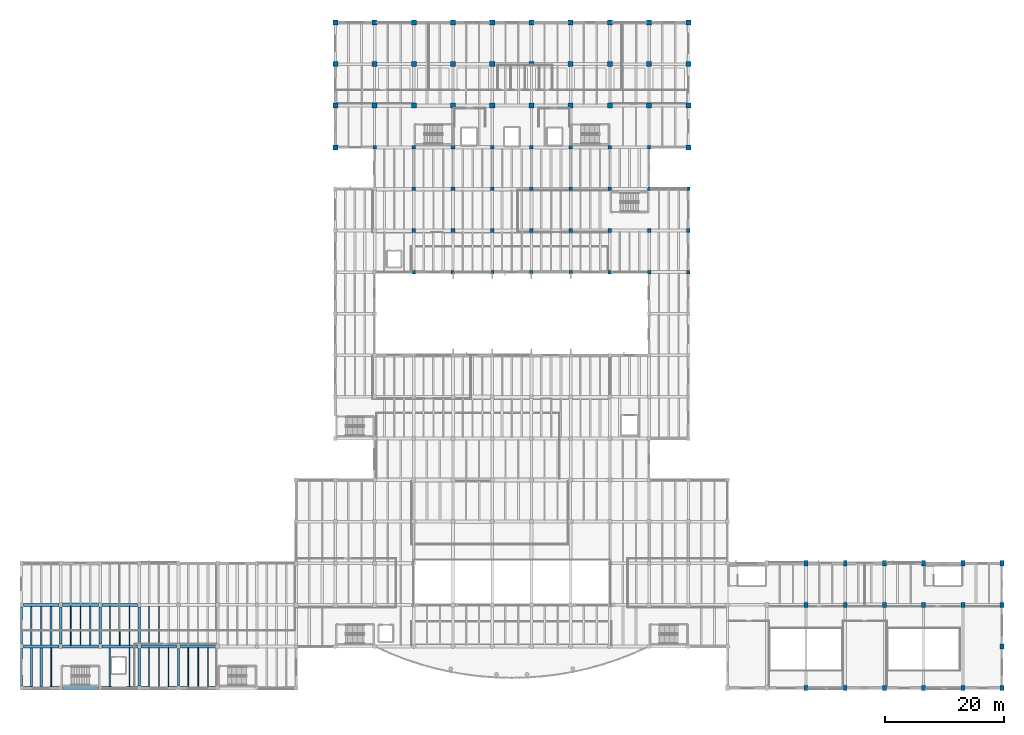
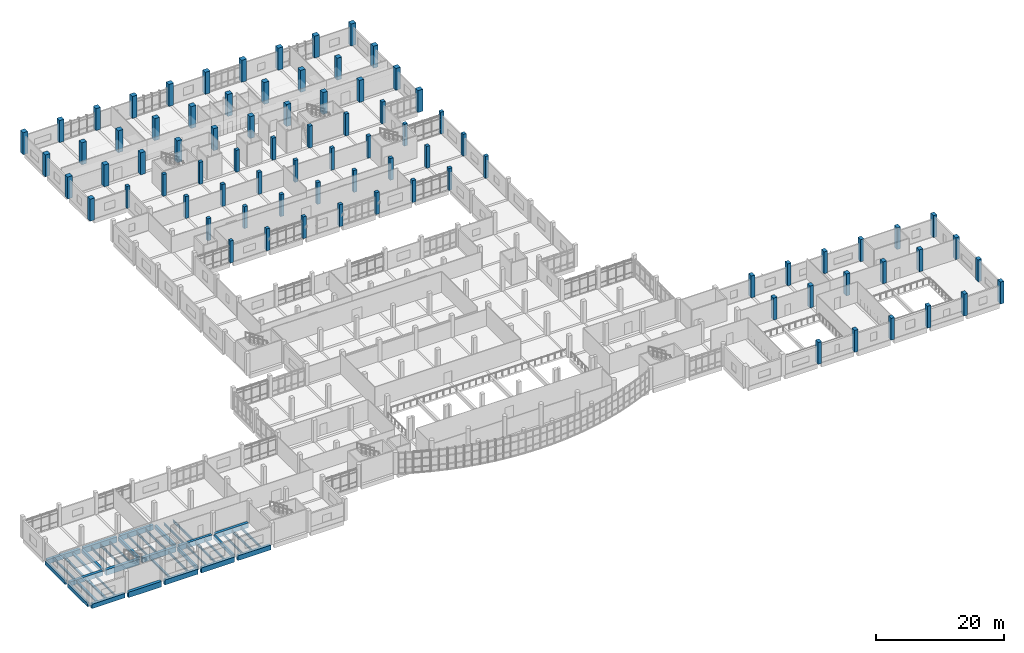
# One storey, part 2 of 68: 83 columns, 42 beams.
"""IFC4 building model written with IfcOpenShell, lengths in metres."""

from ifc_helpers import new_model, si_unit, direction, frame, origin, origin_2d, place, context, subcontext, project, spatial, rectangle, i_section, extrude, material, material_profile, profile_set, type_object, element, save


model = new_model("IFC4")

# Units and contexts
model_context = context("Model", 3, precision=1e-05, world=origin(), true_north=direction((0.0, 1.0)))
body_context = subcontext(model_context, "Body", "Model", "MODEL_VIEW")
ifc_project = project(units=[si_unit("LENGTHUNIT", "METRE"), si_unit("AREAUNIT", "SQUARE_METRE"), si_unit("VOLUMEUNIT", "CUBIC_METRE"), si_unit("PLANEANGLEUNIT", "RADIAN"), si_unit("MASSUNIT", "GRAM", prefix="KILO")], contexts=[model_context])

# Site, building, storey
site_placement = place(None, origin())
site = spatial("IfcSite", under=ifc_project, at=site_placement, CompositionType="ELEMENT")
building_placement = place(site_placement, origin())
building = spatial("IfcBuilding", under=site, at=building_placement, Name="Ciguamira Faculty of Natural Sciences", CompositionType="ELEMENT")
storey_placement = place(building_placement, frame((0.0, 0.0, 4.199951171875)))
storey = spatial("IfcBuildingStorey", under=building, at=storey_placement, Name="L01", CompositionType="ELEMENT", Elevation=4.199951171875)

# Columns
ifc_material_1 = material(Name="Concrete C45/55", Category="concrete")
ifc_material_profile_1 = material_profile(ifc_material_1, rectangle(XDim=0.85009765625, YDim=0.85009765625, at=origin_2d()), Name="RC-COL-850X850")
ifc_profile_set_1 = profile_set([ifc_material_profile_1], Name="Concrete C45/55")
column_type_1 = type_object("IfcColumnType", Name="Col_C-02_RC-COL-850X850", PredefinedType="COLUMN", material=ifc_profile_set_1)
for number, where, z_axis, x_axis, name in (
    (1, (57.300048828125, 94.0, 0.0), (0.0, 0.0, 1.0), (1.0, 0.0, 0.0), "L01 column 9/P"),
    (2, (57.300048828125, 101.0, 0.0), (0.0, 0.0, 1.0), (1.0, 0.0, 0.0), "L01 column 9/Q"),
    (3, (57.300048828125, 108.0, 0.0), (0.0, 0.0, 1.0), (1.0, 0.0, 0.0), "L01 column 9/R"),
    (4, (57.300048828125, 115.0, 0.0), (0.0, 0.0, 1.0), (1.0, 0.0, 0.0), "L01 column 9/S"),
    (5, (63.89990234375, 101.0, 0.0), (0.0, 0.0, 1.0), (1.0, 0.0, 0.0), "L01 column 10/Q"),
    (6, (63.89990234375, 108.0, 0.0), (0.0, 0.0, 1.0), (1.0, 0.0, 0.0), "L01 column 10/R"),
    (7, (63.89990234375, 115.0, 0.0), (0.0, 0.0, 1.0), (1.0, 0.0, 0.0), "L01 column 10/S"),
    (8, (70.5, 101.0, 0.0), (0.0, 0.0, 1.0), (1.0, 0.0, 0.0), "L01 column 11/Q"),
    (9, (70.5, 108.0, 0.0), (0.0, 0.0, 1.0), (1.0, 0.0, 0.0), "L01 column 11/R"),
    (10, (70.5, 115.0, 0.0), (0.0, 0.0, 1.0), (1.0, 0.0, 0.0), "L01 column 11/S"),
    (11, (77.10009765625, 101.0, 0.0), (0.0, 0.0, 1.0), (1.0, 0.0, 0.0), "L01 column 12/Q"),
    (12, (77.10009765625, 108.0, 0.0), (0.0, 0.0, 1.0), (1.0, 0.0, 0.0), "L01 column 12/R"),
    (13, (77.10009765625, 115.0, 0.0), (0.0, 0.0, 1.0), (1.0, 0.0, 0.0), "L01 column 12/S"),
    (14, (83.699951171875, 101.0, 0.0), (0.0, 0.0, 1.0), (1.0, 0.0, 0.0), "L01 column 13/Q"),
    (15, (83.699951171875, 108.0, 0.0), (0.0, 0.0, 1.0), (1.0, 0.0, 0.0), "L01 column 13/R"),
    (16, (83.699951171875, 115.0, 0.0), (0.0, 0.0, 1.0), (1.0, 0.0, 0.0), "L01 column 13/S"),
    (17, (90.300048828125, 101.0, 0.0), (0.0, 0.0, 1.0), (1.0, 0.0, 0.0), "L01 column 14/Q"),
    (18, (90.300048828125, 108.0, 0.0), (0.0, 0.0, 1.0), (1.0, 0.0, 0.0), "L01 column 14/R"),
    (19, (90.300048828125, 115.0, 0.0), (0.0, 0.0, 1.0), (1.0, 0.0, 0.0), "L01 column 14/S"),
    (20, (96.89990234375, 101.0, 0.0), (0.0, 0.0, 1.0), (1.0, 0.0, 0.0), "L01 column 15/Q"),
    (21, (96.89990234375, 108.0, 0.0), (0.0, 0.0, 1.0), (1.0, 0.0, 0.0), "L01 column 15/R"),
    (22, (96.89990234375, 115.0, 0.0), (0.0, 0.0, 1.0), (1.0, 0.0, 0.0), "L01 column 15/S"),
    (23, (103.5, 101.0, 0.0), (0.0, 0.0, 1.0), (1.0, 0.0, 0.0), "L01 column 16/Q"),
    (24, (103.5, 108.0, 0.0), (0.0, 0.0, 1.0), (1.0, 0.0, 0.0), "L01 column 16/R"),
    (25, (103.5, 115.0, 0.0), (0.0, 0.0, 1.0), (1.0, 0.0, 0.0), "L01 column 16/S"),
    (26, (110.10009765625, 101.0, 0.0), (0.0, 0.0, 1.0), (1.0, 0.0, 0.0), "L01 column 17/Q"),
    (27, (110.10009765625, 108.0, 0.0), (0.0, 0.0, 1.0), (1.0, 0.0, 0.0), "L01 column 17/R"),
    (28, (110.10009765625, 115.0, 0.0), (0.0, 0.0, 1.0), (1.0, 0.0, 0.0), "L01 column 17/S"),
    (29, (116.699951171875, 94.0, 0.0), (0.0, 0.0, 1.0), (1.0, 0.0, 0.0), "L01 column 18/P"),
    (30, (116.699951171875, 101.0, 0.0), (0.0, 0.0, 1.0), (1.0, 0.0, 0.0), "L01 column 18/Q"),
    (31, (116.699951171875, 108.0, 0.0), (0.0, 0.0, 1.0), (1.0, 0.0, 0.0), "L01 column 18/R"),
    (32, (116.699951171875, 115.0, 0.0), (0.0, 0.0, 1.0), (1.0, 0.0, 0.0), "L01 column 18/S"),
):
    element("IfcColumn", number, at=place(storey_placement, frame(where, z_axis=z_axis, x_axis=x_axis)), inside=storey, type_object=column_type_1, Name=name, PredefinedType="COLUMN", context=body_context, shape_type="SweptSolid", body=[
        extrude(rectangle(XDim=0.85009765625, YDim=0.85009765625, at=origin_2d()), origin(), (0.0, 0.0, 1.0), 4.199951171875),
    ])
ifc_material_2 = material(Name="Concrete C40/50", Category="concrete")
ifc_material_profile_2 = material_profile(ifc_material_2, rectangle(XDim=0.60009765625, YDim=0.60009765625, at=origin_2d()), Name="RC-COL-600X600")
ifc_profile_set_2 = profile_set([ifc_material_profile_2], Name="Concrete C40/50")
column_type_2 = type_object("IfcColumnType", Name="Col_C-07_RC-COL-600X600", PredefinedType="COLUMN", material=ifc_profile_set_2)
for number, where, z_axis, x_axis, name in (
    (33, (63.89990234375, 94.0, 0.0), (0.0, 0.0, 1.0), (1.0, 0.0, 0.0), "L01 column 10/P"),
    (34, (70.5, 73.0, 0.0), (0.0, 0.0, 1.0), (1.0, 0.0, 0.0), "L01 column 11/L"),
    (35, (70.5, 80.0, 0.0), (0.0, 0.0, 1.0), (1.0, 0.0, 0.0), "L01 column 11/M"),
    (36, (70.5, 87.0, 0.0), (0.0, 0.0, 1.0), (1.0, 0.0, 0.0), "L01 column 11/N"),
    (37, (70.5, 94.0, 0.0), (0.0, 0.0, 1.0), (1.0, 0.0, 0.0), "L01 column 11/P"),
    (38, (77.10009765625, 73.0, 0.0), (0.0, 0.0, 1.0), (1.0, 0.0, 0.0), "L01 column 12/L"),
    (39, (77.10009765625, 80.0, 0.0), (0.0, 0.0, 1.0), (1.0, 0.0, 0.0), "L01 column 12/M"),
    (40, (77.10009765625, 87.0, 0.0), (0.0, 0.0, 1.0), (1.0, 0.0, 0.0), "L01 column 12/N"),
    (41, (77.10009765625, 94.0, 0.0), (0.0, 0.0, 1.0), (1.0, 0.0, 0.0), "L01 column 12/P"),
    (42, (83.699951171875, 73.0, 0.0), (0.0, 0.0, 1.0), (1.0, 0.0, 0.0), "L01 column 13/L"),
    (43, (83.699951171875, 80.0, 0.0), (0.0, 0.0, 1.0), (1.0, 0.0, 0.0), "L01 column 13/M"),
    (44, (83.699951171875, 87.0, 0.0), (0.0, 0.0, 1.0), (1.0, 0.0, 0.0), "L01 column 13/N"),
    (45, (83.699951171875, 94.0, 0.0), (0.0, 0.0, 1.0), (1.0, 0.0, 0.0), "L01 column 13/P"),
    (46, (90.300048828125, 73.0, 0.0), (0.0, 0.0, 1.0), (1.0, 0.0, 0.0), "L01 column 14/L"),
    (47, (90.300048828125, 80.0, 0.0), (0.0, 0.0, 1.0), (1.0, 0.0, 0.0), "L01 column 14/M"),
    (48, (90.300048828125, 87.0, 0.0), (0.0, 0.0, 1.0), (1.0, 0.0, 0.0), "L01 column 14/N"),
    (49, (90.300048828125, 94.0, 0.0), (0.0, 0.0, 1.0), (1.0, 0.0, 0.0), "L01 column 14/P"),
    (50, (96.89990234375, 73.0, 0.0), (0.0, 0.0, 1.0), (1.0, 0.0, 0.0), "L01 column 15/L"),
    (51, (96.89990234375, 80.0, 0.0), (0.0, 0.0, 1.0), (1.0, 0.0, 0.0), "L01 column 15/M"),
    (52, (96.89990234375, 87.0, 0.0), (0.0, 0.0, 1.0), (1.0, 0.0, 0.0), "L01 column 15/N"),
    (53, (96.89990234375, 94.0, 0.0), (0.0, 0.0, 1.0), (1.0, 0.0, 0.0), "L01 column 15/P"),
    (54, (103.5, 73.0, 0.0), (0.0, 0.0, 1.0), (1.0, 0.0, 0.0), "L01 column 16/L"),
    (55, (103.5, 80.0, 0.0), (0.0, 0.0, 1.0), (1.0, 0.0, 0.0), "L01 column 16/M"),
    (56, (103.5, 87.0, 0.0), (0.0, 0.0, 1.0), (1.0, 0.0, 0.0), "L01 column 16/N"),
    (57, (103.5, 94.0, 0.0), (0.0, 0.0, 1.0), (1.0, 0.0, 0.0), "L01 column 16/P"),
    (58, (110.10009765625, 73.0, 0.0), (0.0, 0.0, 1.0), (1.0, 0.0, 0.0), "L01 column 17/L"),
    (59, (110.10009765625, 80.0, 0.0), (0.0, 0.0, 1.0), (1.0, 0.0, 0.0), "L01 column 17/M"),
    (60, (110.10009765625, 87.0, 0.0), (0.0, 0.0, 1.0), (1.0, 0.0, 0.0), "L01 column 17/N"),
    (61, (110.10009765625, 94.0, 0.0), (0.0, 0.0, 1.0), (1.0, 0.0, 0.0), "L01 column 17/P"),
    (62, (116.699951171875, 73.0, 0.0), (0.0, 0.0, 1.0), (1.0, 0.0, 0.0), "L01 column 18/L"),
    (63, (116.699951171875, 80.0, 0.0), (0.0, 0.0, 1.0), (1.0, 0.0, 0.0), "L01 column 18/M"),
    (64, (116.699951171875, 87.0, 0.0), (0.0, 0.0, 1.0), (1.0, 0.0, 0.0), "L01 column 18/N"),
):
    element("IfcColumn", number, at=place(storey_placement, frame(where, z_axis=z_axis, x_axis=x_axis)), inside=storey, type_object=column_type_2, Name=name, PredefinedType="COLUMN", context=body_context, shape_type="SweptSolid", body=[
        extrude(rectangle(XDim=0.60009765625, YDim=0.60009765625, at=origin_2d()), origin(), (0.0, 0.0, 1.0), 4.199951171875),
    ])
ifc_material_profile_3 = material_profile(ifc_material_2, rectangle(XDim=0.64990234375, YDim=0.85009765625, at=origin_2d()), Name="RC-COL-650X850")
ifc_profile_set_3 = profile_set([ifc_material_profile_3], Name="Concrete C40/50")
column_type_3 = type_object("IfcColumnType", Name="Col_C-12_RC-COL-650X850", PredefinedType="COLUMN", material=ifc_profile_set_3)
for number, where, z_axis, x_axis, name in (
    (65, (136.5, 3.0, 0.0), (0.0, 0.0, 1.0), (1.0, 0.0, 0.0), "L01 column 21/A"),
    (66, (136.5, 17.0, 0.0), (0.0, 0.0, 1.0), (1.0, 0.0, 0.0), "L01 column 21/C"),
    (67, (136.5, 24.0, 0.0), (0.0, 0.0, 1.0), (1.0, 0.0, 0.0), "L01 column 21/D"),
    (68, (143.10009765625, 3.0, 0.0), (0.0, 0.0, 1.0), (1.0, 0.0, 0.0), "L01 column 22/A"),
    (69, (143.10009765625, 17.0, 0.0), (0.0, 0.0, 1.0), (1.0, 0.0, 0.0), "L01 column 22/C"),
    (70, (143.10009765625, 24.0, 0.0), (0.0, 0.0, 1.0), (1.0, 0.0, 0.0), "L01 column 22/D"),
    (71, (149.699951171875, 3.0, 0.0), (0.0, 0.0, 1.0), (1.0, 0.0, 0.0), "L01 column 23/A"),
    (72, (149.699951171875, 17.0, 0.0), (0.0, 0.0, 1.0), (1.0, 0.0, 0.0), "L01 column 23/C"),
    (73, (149.699951171875, 24.0, 0.0), (0.0, 0.0, 1.0), (1.0, 0.0, 0.0), "L01 column 23/D"),
    (74, (156.300048828125, 3.0, 0.0), (0.0, 0.0, 1.0), (1.0, 0.0, 0.0), "L01 column 24/A"),
    (75, (156.300048828125, 17.0, 0.0), (0.0, 0.0, 1.0), (1.0, 0.0, 0.0), "L01 column 24/C"),
    (76, (156.300048828125, 24.0, 0.0), (0.0, 0.0, 1.0), (1.0, 0.0, 0.0), "L01 column 24/D"),
    (77, (162.89990234375, 3.0, 0.0), (0.0, 0.0, 1.0), (1.0, 0.0, 0.0), "L01 column 25/A"),
    (78, (162.89990234375, 17.0, 0.0), (0.0, 0.0, 1.0), (1.0, 0.0, 0.0), "L01 column 25/C"),
    (79, (162.89990234375, 24.0, 0.0), (0.0, 0.0, 1.0), (1.0, 0.0, 0.0), "L01 column 25/D"),
    (80, (169.5, 3.0, 0.0), (0.0, 0.0, 1.0), (1.0, 0.0, 0.0), "L01 column 26/A"),
    (81, (169.5, 10.0, 0.0), (0.0, 0.0, 1.0), (1.0, 0.0, 0.0), "L01 column 26/B"),
    (82, (169.5, 17.0, 0.0), (0.0, 0.0, 1.0), (1.0, 0.0, 0.0), "L01 column 26/C"),
    (83, (169.5, 24.0, 0.0), (0.0, 0.0, 1.0), (1.0, 0.0, 0.0), "L01 column 26/D"),
):
    element("IfcColumn", number, at=place(storey_placement, frame(where, z_axis=z_axis, x_axis=x_axis)), inside=storey, type_object=column_type_3, Name=name, PredefinedType="COLUMN", context=body_context, shape_type="SweptSolid", body=[
        extrude(rectangle(XDim=0.64990234375, YDim=0.85009765625, at=origin_2d()), origin(), (0.0, 0.0, 1.0), 4.199951171875),
    ])

# Beams
ifc_material_profile_4 = material_profile(ifc_material_2, rectangle(XDim=0.550048828125, YDim=1.050048828125, at=origin_2d()), Name="RC-BM-550X1050")
ifc_profile_set_4 = profile_set([ifc_material_profile_4], Name="Concrete C40/50")
beam_type_1 = type_object("IfcBeamType", Name="RCBeam_BG-01_RC-BM-550X1050", PredefinedType="BEAM", material=ifc_profile_set_4)
for number, where, z_axis, x_axis, name in (
    (84, (11.39990234375, 3.0, -0.52490234375), (1.0, 0.0, 0.0), (0.0, 1.0, 0.0), "L01 RC girder EW-0359"),
    (85, (11.39990234375, 10.0, -0.52490234375), (1.0, 0.0, 0.0), (0.0, 1.0, 0.0), "L01 RC girder EW-0373"),
    (86, (11.39990234375, 17.0, -0.52490234375), (1.0, 0.0, 0.0), (0.0, 1.0, 0.0), "L01 RC girder EW-0391"),
):
    element("IfcBeam", number, at=place(storey_placement, frame(where, z_axis=z_axis, x_axis=x_axis)), inside=storey, type_object=beam_type_1, Name=name, PredefinedType="BEAM", context=body_context, shape_type="SweptSolid", body=[
        extrude(rectangle(XDim=0.550048828125, YDim=1.050048828125, at=origin_2d()), origin(), (0.0, 0.0, 1.0), 6.0),
    ])
ifc_material_profile_5 = material_profile(ifc_material_2, rectangle(XDim=0.5, YDim=0.949951171875, at=origin_2d()), Name="RC-BM-500X950")
ifc_profile_set_5 = profile_set([ifc_material_profile_5], Name="Concrete C40/50")
beam_type_2 = type_object("IfcBeamType", Name="RCBeam_BG-02_RC-BM-500X950", PredefinedType="BEAM", material=ifc_profile_set_5)
for number, where, z_axis, x_axis, name in (
    (87, (18.0, 3.0, -0.474853515625), (1.0, 0.0, 0.0), (0.0, 1.0, 0.0), "L01 RC girder EW-0360"),
    (88, (24.60009765625, 3.0, -0.474853515625), (1.0, 0.0, 0.0), (0.0, 1.0, 0.0), "L01 RC girder EW-0361"),
    (89, (18.0, 10.0, -0.474853515625), (1.0, 0.0, 0.0), (0.0, 1.0, 0.0), "L01 RC girder EW-0374"),
    (90, (24.60009765625, 10.0, -0.474853515625), (1.0, 0.0, 0.0), (0.0, 1.0, 0.0), "L01 RC girder EW-0375"),
    (91, (18.0, 17.0, -0.474853515625), (1.0, 0.0, 0.0), (0.0, 1.0, 0.0), "L01 RC girder EW-0392"),
):
    element("IfcBeam", number, at=place(storey_placement, frame(where, z_axis=z_axis, x_axis=x_axis)), inside=storey, type_object=beam_type_2, Name=name, PredefinedType="BEAM", context=body_context, shape_type="SweptSolid", body=[
        extrude(rectangle(XDim=0.5, YDim=0.949951171875, at=origin_2d()), origin(), (0.0, 0.0, 1.0), 6.0),
    ])
ifc_material_profile_6 = material_profile(ifc_material_2, rectangle(XDim=0.5, YDim=0.89990234375, at=origin_2d()), Name="RC-BM-500X900")
ifc_profile_set_6 = profile_set([ifc_material_profile_6], Name="Concrete C40/50")
beam_type_3 = type_object("IfcBeamType", Name="RCBeam_BG-03_RC-BM-500X900", PredefinedType="BEAM", material=ifc_profile_set_6)
for number, where, z_axis, x_axis, name in (
    (92, (31.199951171875, 3.0, -0.449951171875), (1.0, 0.0, 0.0), (0.0, 1.0, 0.0), "L01 RC girder EW-0362"),
    (93, (31.199951171875, 10.0, -0.449951171875), (1.0, 0.0, 0.0), (0.0, 1.0, 0.0), "L01 RC girder EW-0376"),
):
    element("IfcBeam", number, at=place(storey_placement, frame(where, z_axis=z_axis, x_axis=x_axis)), inside=storey, type_object=beam_type_3, Name=name, PredefinedType="BEAM", context=body_context, shape_type="SweptSolid", body=[
        extrude(rectangle(XDim=0.5, YDim=0.89990234375, at=origin_2d()), origin(), (0.0, 0.0, 1.0), 6.0),
    ])
ifc_material_profile_7 = material_profile(ifc_material_2, rectangle(XDim=0.39990234375, YDim=0.699951171875, at=origin_2d()), Name="RC-BM-400X700")
ifc_profile_set_7 = profile_set([ifc_material_profile_7], Name="Concrete C40/50")
beam_type_4 = type_object("IfcBeamType", Name="RCBeam_BG-08_RC-BM-400X700", PredefinedType="BEAM", material=ifc_profile_set_7)
for number, where, z_axis, x_axis, name in (
    (94, (11.10009765625, 10.375, -0.349853515625), (0.0, 1.0, 0.0), (-1.0, 0.0, 0.0), "L01 girder NS-0552"),
    (95, (17.699951171875, 10.375, -0.349853515625), (0.0, 1.0, 0.0), (-1.0, 0.0, 0.0), "L01 girder NS-0554"),
    (96, (24.300048828125, 10.375, -0.349853515625), (0.0, 1.0, 0.0), (-1.0, 0.0, 0.0), "L01 girder NS-0557"),
):
    element("IfcBeam", number, at=place(storey_placement, frame(where, z_axis=z_axis, x_axis=x_axis)), inside=storey, type_object=beam_type_4, Name=name, PredefinedType="BEAM", context=body_context, shape_type="SweptSolid", body=[
        extrude(rectangle(XDim=0.39990234375, YDim=0.699951171875, at=origin_2d()), origin(), (0.0, 0.0, 1.0), 6.25),
    ])
ifc_material_profile_8 = material_profile(ifc_material_2, rectangle(XDim=0.360107421875, YDim=0.639892578125, at=origin_2d()), Name="RC-BM-360X640")
ifc_profile_set_8 = profile_set([ifc_material_profile_8], Name="Concrete C40/50")
beam_type_5 = type_object("IfcBeamType", Name="RCBeam_BG-10_RC-BM-360X640", PredefinedType="BEAM", material=ifc_profile_set_8)
for number, where, z_axis, x_axis, name in (
    (97, (24.300048828125, 3.375, -0.320068359375), (0.0, 1.0, 0.0), (-1.0, 0.0, 0.0), "L01 girder NS-0556"),
    (98, (30.89990234375, 3.375, -0.320068359375), (0.0, 1.0, 0.0), (-1.0, 0.0, 0.0), "L01 girder NS-0559"),
):
    element("IfcBeam", number, at=place(storey_placement, frame(where, z_axis=z_axis, x_axis=x_axis)), inside=storey, type_object=beam_type_5, Name=name, PredefinedType="BEAM", context=body_context, shape_type="SweptSolid", body=[
        extrude(rectangle(XDim=0.360107421875, YDim=0.639892578125, at=origin_2d()), origin(), (0.0, 0.0, 1.0), 6.25),
    ])
ifc_material_3 = material(Name="Precast concrete C40/50", Category="concrete")
ifc_material_profile_9 = material_profile(ifc_material_3, rectangle(XDim=0.340087890625, YDim=0.719970703125, at=origin_2d()), Name="RC-SP-340X720")
ifc_profile_set_9 = profile_set([ifc_material_profile_9], Name="Precast concrete C40/50")
beam_type_6 = type_object("IfcBeamType", Name="RCBeam_SP-03_RC-SP-340X720", PredefinedType="SPANDREL", material=ifc_profile_set_9)
for number, where, z_axis, x_axis, name in (
    (99, (4.5, 3.375, -0.35986328125), (0.0, 1.0, 0.0), (-1.0, 0.0, 0.0), "L01 girder NS-0549"),
    (100, (4.5, 10.375, -0.35986328125), (0.0, 1.0, 0.0), (-1.0, 0.0, 0.0), "L01 girder NS-0550"),
):
    element("IfcBeam", number, at=place(storey_placement, frame(where, z_axis=z_axis, x_axis=x_axis)), inside=storey, type_object=beam_type_6, Name=name, PredefinedType="SPANDREL", context=body_context, shape_type="SweptSolid", body=[
        extrude(rectangle(XDim=0.340087890625, YDim=0.719970703125, at=origin_2d()), origin(), (0.0, 0.0, 1.0), 6.25),
    ])
ifc_material_profile_10 = material_profile(ifc_material_2, rectangle(XDim=0.52001953125, YDim=0.840087890625, at=origin_2d()), Name="RC-TB-520X840")
ifc_profile_set_10 = profile_set([ifc_material_profile_10], Name="Concrete C40/50")
beam_type_7 = type_object("IfcBeamType", Name="RCBeam_TB-02_RC-TB-520X840", PredefinedType="T_BEAM", material=ifc_profile_set_10)
for number, where, z_axis, x_axis, name in (
    (101, (4.800048828125, 3.0, -0.419921875), (1.0, 0.0, 0.0), (0.0, 1.0, 0.0), "L01 RC girder EW-0358"),
    (102, (4.800048828125, 10.0, -0.419921875), (1.0, 0.0, 0.0), (0.0, 1.0, 0.0), "L01 RC girder EW-0372"),
    (103, (4.800048828125, 17.0, -0.419921875), (1.0, 0.0, 0.0), (0.0, 1.0, 0.0), "L01 RC girder EW-0390"),
):
    element("IfcBeam", number, at=place(storey_placement, frame(where, z_axis=z_axis, x_axis=x_axis)), inside=storey, type_object=beam_type_7, Name=name, PredefinedType="T_BEAM", context=body_context, shape_type="SweptSolid", body=[
        extrude(rectangle(XDim=0.52001953125, YDim=0.840087890625, at=origin_2d()), origin(), (0.0, 0.0, 1.0), 6.0),
    ])
ifc_material_4 = material(Name="Steel ASTM A992 Grade 50", Category="steel")
ifc_material_profile_11 = material_profile(ifc_material_4, i_section(OverallWidth=0.370849609375, OverallDepth=0.36328125, WebThickness=0.013427734375, FlangeThickness=0.021728515625, at=origin_2d()), Name="W14X109")
ifc_profile_set_11 = profile_set([ifc_material_profile_11], Name="Steel ASTM A992 Grade 50")
beam_type_8 = type_object("IfcBeamType", Name="SteelJoist_SJ-09_W14X109", PredefinedType="JOIST", material=ifc_profile_set_11)
beam_1_placement = place(storey_placement, frame((6.14990234375, 3.219970703125, -0.441650390625), z_axis=(0.0, 1.0, 0.0), x_axis=(-1.0, 0.0, 0.0)))
element("IfcBeam", 104, at=beam_1_placement, inside=storey, type_object=beam_type_8, Name="L01 composite steel joist 00323", PredefinedType="JOIST", context=body_context, shape_type="SweptSolid", body=[
    extrude(i_section(OverallWidth=0.370849609375, OverallDepth=0.36328125, WebThickness=0.013427734375, FlangeThickness=0.021728515625, at=origin_2d()), origin(), (0.0, 0.0, 1.0), 6.56005859375),
])
ifc_material_profile_12 = material_profile(ifc_material_4, i_section(OverallWidth=0.373291015625, OverallDepth=0.373291015625, WebThickness=0.016357421875, FlangeThickness=0.026123046875, at=origin_2d()), Name="W14X132")
ifc_profile_set_12 = profile_set([ifc_material_profile_12], Name="Steel ASTM A992 Grade 50")
beam_type_9 = type_object("IfcBeamType", Name="SteelJoist_SJ-10_W14X132", PredefinedType="JOIST", material=ifc_profile_set_12)
beam_2_placement = place(storey_placement, frame((7.800048828125, 3.219970703125, -0.446533203125), z_axis=(0.0, 1.0, 0.0), x_axis=(-1.0, 0.0, 0.0)))
element("IfcBeam", 105, at=beam_2_placement, inside=storey, type_object=beam_type_9, Name="L01 composite steel joist 00324", PredefinedType="JOIST", context=body_context, shape_type="SweptSolid", body=[
    extrude(i_section(OverallWidth=0.373291015625, OverallDepth=0.373291015625, WebThickness=0.016357421875, FlangeThickness=0.026123046875, at=origin_2d()), origin(), (0.0, 0.0, 1.0), 6.56005859375),
])
ifc_material_profile_13 = material_profile(ifc_material_4, i_section(OverallWidth=0.1708984375, OverallDepth=0.3505859375, WebThickness=0.0068359375, FlangeThickness=0.009765625, at=origin_2d()), Name="W14X30")
ifc_profile_set_13 = profile_set([ifc_material_profile_13], Name="Steel ASTM A992 Grade 50")
beam_type_10 = type_object("IfcBeamType", Name="SteelJoist_SJ-11_W14X30", PredefinedType="JOIST", material=ifc_profile_set_13)
beam_3_placement = place(storey_placement, frame((9.449951171875, 3.219970703125, -0.435302734375), z_axis=(0.0, 1.0, 0.0), x_axis=(-1.0, 0.0, 0.0)))
element("IfcBeam", 106, at=beam_3_placement, inside=storey, type_object=beam_type_10, Name="L01 composite steel joist 00325", PredefinedType="JOIST", context=body_context, shape_type="SweptSolid", body=[
    extrude(i_section(OverallWidth=0.1708984375, OverallDepth=0.3505859375, WebThickness=0.0068359375, FlangeThickness=0.009765625, at=origin_2d()), origin(), (0.0, 0.0, 1.0), 6.56005859375),
])
ifc_material_profile_14 = material_profile(ifc_material_4, i_section(OverallWidth=0.25390625, OverallDepth=0.355712890625, WebThickness=0.010498046875, FlangeThickness=0.018310546875, at=origin_2d()), Name="W14X68")
ifc_profile_set_14 = profile_set([ifc_material_profile_14], Name="Steel ASTM A992 Grade 50")
beam_type_11 = type_object("IfcBeamType", Name="SteelJoist_SJ-14_W14X68", PredefinedType="JOIST", material=ifc_profile_set_14)
beam_4_placement = place(storey_placement, frame((6.14990234375, 10.219970703125, -0.437744140625), z_axis=(0.0, 1.0, 0.0), x_axis=(-1.0, 0.0, 0.0)))
element("IfcBeam", 107, at=beam_4_placement, inside=storey, type_object=beam_type_11, Name="L01 composite steel joist 00326", PredefinedType="JOIST", context=body_context, shape_type="SweptSolid", body=[
    extrude(i_section(OverallWidth=0.25390625, OverallDepth=0.355712890625, WebThickness=0.010498046875, FlangeThickness=0.018310546875, at=origin_2d()), origin(), (0.0, 0.0, 1.0), 6.56005859375),
])
ifc_material_profile_15 = material_profile(ifc_material_4, i_section(OverallWidth=0.256591796875, OverallDepth=0.36328125, WebThickness=0.012939453125, FlangeThickness=0.021728515625, at=origin_2d()), Name="W14X82")
ifc_profile_set_15 = profile_set([ifc_material_profile_15], Name="Steel ASTM A992 Grade 50")
beam_type_12 = type_object("IfcBeamType", Name="SteelJoist_SJ-15_W14X82", PredefinedType="JOIST", material=ifc_profile_set_15)
beam_5_placement = place(storey_placement, frame((7.800048828125, 10.219970703125, -0.441650390625), z_axis=(0.0, 1.0, 0.0), x_axis=(-1.0, 0.0, 0.0)))
element("IfcBeam", 108, at=beam_5_placement, inside=storey, type_object=beam_type_12, Name="L01 composite steel joist 00327", PredefinedType="JOIST", context=body_context, shape_type="SweptSolid", body=[
    extrude(i_section(OverallWidth=0.256591796875, OverallDepth=0.36328125, WebThickness=0.012939453125, FlangeThickness=0.021728515625, at=origin_2d()), origin(), (0.0, 0.0, 1.0), 6.56005859375),
])
beam_6_placement = place(storey_placement, frame((19.35009765625, 3.2099609375, -0.441650390625), z_axis=(0.0, 1.0, 0.0), x_axis=(-1.0, 0.0, 0.0)))
element("IfcBeam", 109, at=beam_6_placement, inside=storey, type_object=beam_type_12, Name="L01 composite steel joist 00338", PredefinedType="JOIST", context=body_context, shape_type="SweptSolid", body=[
    extrude(i_section(OverallWidth=0.256591796875, OverallDepth=0.36328125, WebThickness=0.012939453125, FlangeThickness=0.021728515625, at=origin_2d()), origin(), (0.0, 0.0, 1.0), 6.580078125),
])
ifc_material_profile_16 = material_profile(ifc_material_4, i_section(OverallWidth=0.368408203125, OverallDepth=0.355712890625, WebThickness=0.01123046875, FlangeThickness=0.01806640625, at=origin_2d()), Name="W14X90")
ifc_profile_set_16 = profile_set([ifc_material_profile_16], Name="Steel ASTM A992 Grade 50")
beam_type_13 = type_object("IfcBeamType", Name="SteelJoist_SJ-16_W14X90", PredefinedType="JOIST", material=ifc_profile_set_16)
beam_7_placement = place(storey_placement, frame((9.449951171875, 10.219970703125, -0.437744140625), z_axis=(0.0, 1.0, 0.0), x_axis=(-1.0, 0.0, 0.0)))
element("IfcBeam", 110, at=beam_7_placement, inside=storey, type_object=beam_type_13, Name="L01 composite steel joist 00328", PredefinedType="JOIST", context=body_context, shape_type="SweptSolid", body=[
    extrude(i_section(OverallWidth=0.368408203125, OverallDepth=0.355712890625, WebThickness=0.01123046875, FlangeThickness=0.01806640625, at=origin_2d()), origin(), (0.0, 0.0, 1.0), 6.56005859375),
])
ifc_material_profile_17 = material_profile(ifc_material_4, i_section(OverallWidth=0.140380859375, OverallDepth=0.40380859375, WebThickness=0.007080078125, FlangeThickness=0.01123046875, at=origin_2d()), Name="W16X31")
ifc_profile_set_17 = profile_set([ifc_material_profile_17], Name="Steel ASTM A992 Grade 50")
beam_type_14 = type_object("IfcBeamType", Name="SteelJoist_SJ-17_W16X31", PredefinedType="JOIST", material=ifc_profile_set_17)
beam_8_placement = place(storey_placement, frame((12.75, 10.235107421875, -0.4619140625), z_axis=(0.0, 1.0, 0.0), x_axis=(-1.0, 0.0, 0.0)))
element("IfcBeam", 111, at=beam_8_placement, inside=storey, type_object=beam_type_14, Name="L01 composite steel joist 00332", PredefinedType="JOIST", context=body_context, shape_type="SweptSolid", body=[
    extrude(i_section(OverallWidth=0.140380859375, OverallDepth=0.40380859375, WebThickness=0.007080078125, FlangeThickness=0.01123046875, at=origin_2d()), origin(), (0.0, 0.0, 1.0), 6.52978515625),
])
beam_9_placement = place(storey_placement, frame((22.64990234375, 3.2099609375, -0.4619140625), z_axis=(0.0, 1.0, 0.0), x_axis=(-1.0, 0.0, 0.0)))
element("IfcBeam", 112, at=beam_9_placement, inside=storey, type_object=beam_type_14, Name="L01 composite steel joist 00339", PredefinedType="JOIST", context=body_context, shape_type="SweptSolid", body=[
    extrude(i_section(OverallWidth=0.140380859375, OverallDepth=0.40380859375, WebThickness=0.007080078125, FlangeThickness=0.01123046875, at=origin_2d()), origin(), (0.0, 0.0, 1.0), 6.580078125),
])
ifc_material_profile_18 = material_profile(ifc_material_4, i_section(OverallWidth=0.177490234375, OverallDepth=0.40380859375, WebThickness=0.007568359375, FlangeThickness=0.010986328125, at=origin_2d()), Name="W16X36")
ifc_profile_set_18 = profile_set([ifc_material_profile_18], Name="Steel ASTM A992 Grade 50")
beam_type_15 = type_object("IfcBeamType", Name="SteelJoist_SJ-18_W16X36", PredefinedType="JOIST", material=ifc_profile_set_18)
beam_10_placement = place(storey_placement, frame((14.39990234375, 10.235107421875, -0.4619140625), z_axis=(0.0, 1.0, 0.0), x_axis=(-1.0, 0.0, 0.0)))
element("IfcBeam", 113, at=beam_10_placement, inside=storey, type_object=beam_type_15, Name="L01 composite steel joist 00333", PredefinedType="JOIST", context=body_context, shape_type="SweptSolid", body=[
    extrude(i_section(OverallWidth=0.177490234375, OverallDepth=0.40380859375, WebThickness=0.007568359375, FlangeThickness=0.010986328125, at=origin_2d()), origin(), (0.0, 0.0, 1.0), 6.52978515625),
])
beam_11_placement = place(storey_placement, frame((25.949951171875, 3.2099609375, -0.4619140625), z_axis=(0.0, 1.0, 0.0), x_axis=(-1.0, 0.0, 0.0)))
element("IfcBeam", 114, at=beam_11_placement, inside=storey, type_object=beam_type_15, Name="L01 composite steel joist 00346", PredefinedType="JOIST", context=body_context, shape_type="SweptSolid", body=[
    extrude(i_section(OverallWidth=0.177490234375, OverallDepth=0.40380859375, WebThickness=0.007568359375, FlangeThickness=0.010986328125, at=origin_2d()), origin(), (0.0, 0.0, 1.0), 6.580078125),
])
ifc_material_profile_19 = material_profile(ifc_material_4, i_section(OverallWidth=0.1787109375, OverallDepth=0.408935546875, WebThickness=0.0087890625, FlangeThickness=0.014404296875, at=origin_2d()), Name="W16X45")
ifc_profile_set_19 = profile_set([ifc_material_profile_19], Name="Steel ASTM A992 Grade 50")
beam_type_16 = type_object("IfcBeamType", Name="SteelJoist_SJ-19_W16X45", PredefinedType="JOIST", material=ifc_profile_set_19)
beam_12_placement = place(storey_placement, frame((16.050048828125, 10.235107421875, -0.46435546875), z_axis=(0.0, 1.0, 0.0), x_axis=(-1.0, 0.0, 0.0)))
element("IfcBeam", 115, at=beam_12_placement, inside=storey, type_object=beam_type_16, Name="L01 composite steel joist 00334", PredefinedType="JOIST", context=body_context, shape_type="SweptSolid", body=[
    extrude(i_section(OverallWidth=0.1787109375, OverallDepth=0.408935546875, WebThickness=0.0087890625, FlangeThickness=0.014404296875, at=origin_2d()), origin(), (0.0, 0.0, 1.0), 6.52978515625),
])
beam_13_placement = place(storey_placement, frame((27.60009765625, 3.2099609375, -0.46435546875), z_axis=(0.0, 1.0, 0.0), x_axis=(-1.0, 0.0, 0.0)))
element("IfcBeam", 116, at=beam_13_placement, inside=storey, type_object=beam_type_16, Name="L01 composite steel joist 00347", PredefinedType="JOIST", context=body_context, shape_type="SweptSolid", body=[
    extrude(i_section(OverallWidth=0.1787109375, OverallDepth=0.408935546875, WebThickness=0.0087890625, FlangeThickness=0.014404296875, at=origin_2d()), origin(), (0.0, 0.0, 1.0), 6.580078125),
])
ifc_material_profile_20 = material_profile(ifc_material_4, i_section(OverallWidth=0.180908203125, OverallDepth=0.41650390625, WebThickness=0.010986328125, FlangeThickness=0.01806640625, at=origin_2d()), Name="W16X57")
ifc_profile_set_20 = profile_set([ifc_material_profile_20], Name="Steel ASTM A992 Grade 50")
beam_type_17 = type_object("IfcBeamType", Name="SteelJoist_SJ-20_W16X57", PredefinedType="JOIST", material=ifc_profile_set_20)
for number, where, z_axis, x_axis, name in (
    (117, (19.35009765625, 10.2099609375, -0.46826171875), (0.0, 1.0, 0.0), (-1.0, 0.0, 0.0), "L01 composite steel joist 00340"),
    (118, (29.25, 3.2099609375, -0.46826171875), (0.0, 1.0, 0.0), (-1.0, 0.0, 0.0), "L01 composite steel joist 00348"),
):
    element("IfcBeam", number, at=place(storey_placement, frame(where, z_axis=z_axis, x_axis=x_axis)), inside=storey, type_object=beam_type_17, Name=name, PredefinedType="JOIST", context=body_context, shape_type="SweptSolid", body=[
        extrude(i_section(OverallWidth=0.180908203125, OverallDepth=0.41650390625, WebThickness=0.010986328125, FlangeThickness=0.01806640625, at=origin_2d()), origin(), (0.0, 0.0, 1.0), 6.580078125),
    ])
ifc_material_profile_21 = material_profile(ifc_material_4, i_section(OverallWidth=0.15234375, OverallDepth=0.449462890625, WebThickness=0.007568359375, FlangeThickness=0.0107421875, at=origin_2d()), Name="W18X35")
ifc_profile_set_21 = profile_set([ifc_material_profile_21], Name="Steel ASTM A992 Grade 50")
beam_type_18 = type_object("IfcBeamType", Name="SteelJoist_SJ-21_W18X35", PredefinedType="JOIST", material=ifc_profile_set_21)
for number, where, z_axis, x_axis, name in (
    (119, (21.0, 10.2099609375, -0.48486328125), (0.0, 1.0, 0.0), (-1.0, 0.0, 0.0), "L01 composite steel joist 00341"),
    (120, (32.550048828125, 3.2099609375, -0.48486328125), (0.0, 1.0, 0.0), (-1.0, 0.0, 0.0), "L01 composite steel joist 00355"),
):
    element("IfcBeam", number, at=place(storey_placement, frame(where, z_axis=z_axis, x_axis=x_axis)), inside=storey, type_object=beam_type_18, Name=name, PredefinedType="JOIST", context=body_context, shape_type="SweptSolid", body=[
        extrude(i_section(OverallWidth=0.15234375, OverallDepth=0.449462890625, WebThickness=0.007568359375, FlangeThickness=0.0107421875, at=origin_2d()), origin(), (0.0, 0.0, 1.0), 6.580078125),
    ])
ifc_material_profile_22 = material_profile(ifc_material_4, i_section(OverallWidth=0.15283203125, OverallDepth=0.45458984375, WebThickness=0.008056640625, FlangeThickness=0.013427734375, at=origin_2d()), Name="W18X40")
ifc_profile_set_22 = profile_set([ifc_material_profile_22], Name="Steel ASTM A992 Grade 50")
beam_type_19 = type_object("IfcBeamType", Name="SteelJoist_SJ-22_W18X40", PredefinedType="JOIST", material=ifc_profile_set_22)
for number, where, z_axis, x_axis, name in (
    (121, (22.64990234375, 10.2099609375, -0.4873046875), (0.0, 1.0, 0.0), (-1.0, 0.0, 0.0), "L01 composite steel joist 00342"),
    (122, (34.199951171875, 3.2099609375, -0.4873046875), (0.0, 1.0, 0.0), (-1.0, 0.0, 0.0), "L01 composite steel joist 00356"),
):
    element("IfcBeam", number, at=place(storey_placement, frame(where, z_axis=z_axis, x_axis=x_axis)), inside=storey, type_object=beam_type_19, Name=name, PredefinedType="JOIST", context=body_context, shape_type="SweptSolid", body=[
        extrude(i_section(OverallWidth=0.15283203125, OverallDepth=0.45458984375, WebThickness=0.008056640625, FlangeThickness=0.013427734375, at=origin_2d()), origin(), (0.0, 0.0, 1.0), 6.580078125),
    ])
ifc_material_profile_23 = material_profile(ifc_material_4, i_section(OverallWidth=0.1904296875, OverallDepth=0.457275390625, WebThickness=0.009033203125, FlangeThickness=0.014404296875, at=origin_2d()), Name="W18X50")
ifc_profile_set_23 = profile_set([ifc_material_profile_23], Name="Steel ASTM A992 Grade 50")
beam_type_20 = type_object("IfcBeamType", Name="SteelJoist_SJ-23_W18X50", PredefinedType="JOIST", material=ifc_profile_set_23)
for number, where, z_axis, x_axis, name in (
    (123, (25.949951171875, 10.2099609375, -0.488525390625), (0.0, 1.0, 0.0), (-1.0, 0.0, 0.0), "L01 composite steel joist 00349"),
    (124, (35.85009765625, 3.2099609375, -0.488525390625), (0.0, 1.0, 0.0), (-1.0, 0.0, 0.0), "L01 composite steel joist 00357"),
):
    element("IfcBeam", number, at=place(storey_placement, frame(where, z_axis=z_axis, x_axis=x_axis)), inside=storey, type_object=beam_type_20, Name=name, PredefinedType="JOIST", context=body_context, shape_type="SweptSolid", body=[
        extrude(i_section(OverallWidth=0.1904296875, OverallDepth=0.457275390625, WebThickness=0.009033203125, FlangeThickness=0.014404296875, at=origin_2d()), origin(), (0.0, 0.0, 1.0), 6.580078125),
    ])
ifc_material_profile_24 = material_profile(ifc_material_4, i_section(OverallWidth=0.19287109375, OverallDepth=0.46728515625, WebThickness=0.011474609375, FlangeThickness=0.01904296875, at=origin_2d()), Name="W18X65")
ifc_profile_set_24 = profile_set([ifc_material_profile_24], Name="Steel ASTM A992 Grade 50")
beam_type_21 = type_object("IfcBeamType", Name="SteelJoist_SJ-24_W18X65", PredefinedType="JOIST", material=ifc_profile_set_24)
beam_14_placement = place(storey_placement, frame((27.60009765625, 10.2099609375, -0.49365234375), z_axis=(0.0, 1.0, 0.0), x_axis=(-1.0, 0.0, 0.0)))
element("IfcBeam", 125, at=beam_14_placement, inside=storey, type_object=beam_type_21, Name="L01 composite steel joist 00350", PredefinedType="JOIST", context=body_context, shape_type="SweptSolid", body=[
    extrude(i_section(OverallWidth=0.19287109375, OverallDepth=0.46728515625, WebThickness=0.011474609375, FlangeThickness=0.01904296875, at=origin_2d()), origin(), (0.0, 0.0, 1.0), 6.580078125),
])

save(model, "model.ifc")
